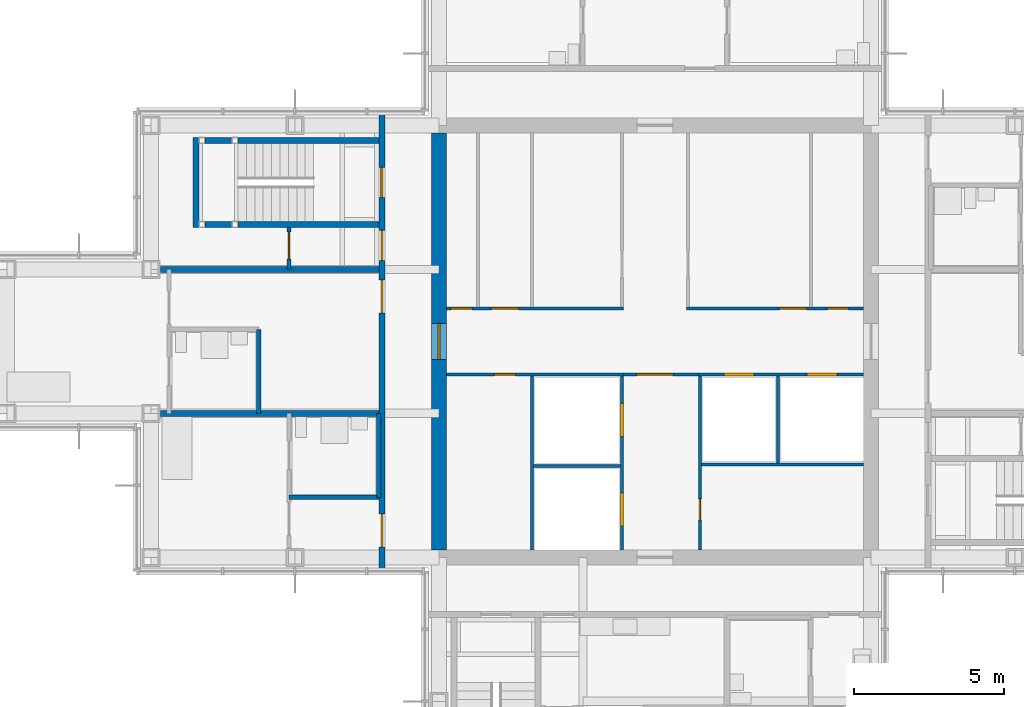
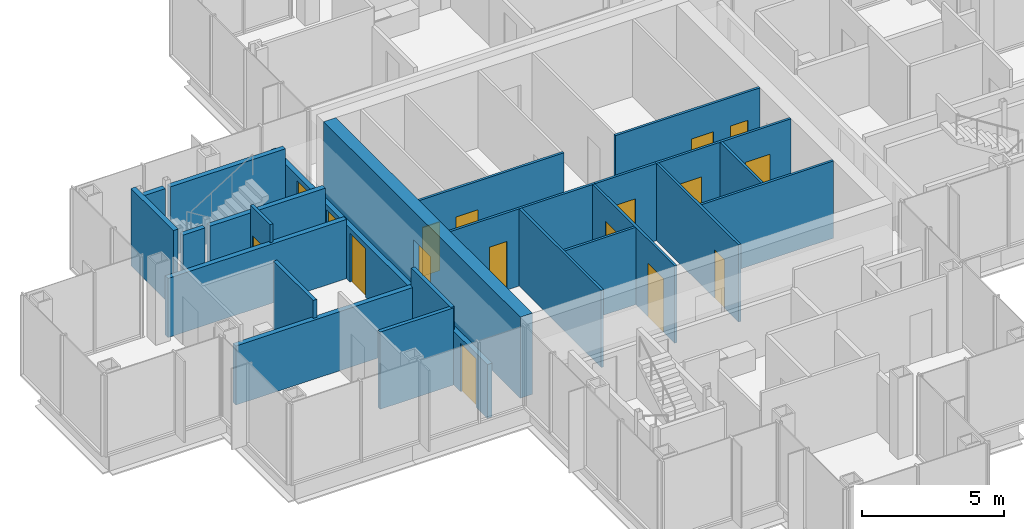
# One storey, part 12 of 17: 24 walls, 17 doors, 17 openings.
"""IFC4 building model written with IfcOpenShell, lengths in metres."""

from ifc_helpers import new_model, si_unit, direction, frame, frame_2d, origin, place, context, subcontext, project, spatial, rectangle, extrude, material, layer, layer_set, type_object, element, fill, save


model = new_model("IFC4")

# Units and contexts
model_context = context("Model", 3, precision=1e-05, world=origin(), true_north=direction((0.0, 1.0)))
body_context = subcontext(model_context, "Body", "Model", "MODEL_VIEW")
ifc_project = project(units=[si_unit("LENGTHUNIT", "METRE"), si_unit("AREAUNIT", "SQUARE_METRE"), si_unit("VOLUMEUNIT", "CUBIC_METRE"), si_unit("PLANEANGLEUNIT", "RADIAN"), si_unit("MASSUNIT", "GRAM", prefix="KILO")], contexts=[model_context])

# Site, building, storey
site_placement = place(None, origin())
site = spatial("IfcSite", under=ifc_project, at=site_placement, CompositionType="ELEMENT")
building_placement = place(site_placement, origin())
building = spatial("IfcBuilding", under=site, at=building_placement, Name="Kvirike Care Tower", CompositionType="ELEMENT")
storey_placement = place(building_placement, frame((0.0, 0.0, 162.0)))
storey = spatial("IfcBuildingStorey", under=building, at=storey_placement, Name="L44", CompositionType="ELEMENT", Elevation=162.0)

# Walls
ifc_material_1 = material(Name="Moisture-resistant board partition", Category="gypsum")
ifc_layer_1 = layer(ifc_material_1, 0.14990234375)
ifc_layer_set_1 = layer_set([ifc_layer_1], Name="BATHROOM WALL 150")
wall_type_1 = type_object("IfcWallType", Name="BATHROOM WALL 150", PredefinedType="PARTITIONING", material=ifc_layer_set_1)
wall_1_placement = place(storey_placement, frame((8.39990234375, 36.39990234375, 0.0), z_axis=(0.0, 0.0, 1.0), x_axis=(0.0, -1.0, 0.0)))
element("IfcWall", 1, at=wall_1_placement, inside=storey, type_object=wall_type_1, Name="Bathroom Wall 150 L44", PredefinedType="PARTITIONING", context=body_context, shape_type="SweptSolid", body=[
    extrude(rectangle(XDim=2.7998046875, YDim=0.14990234375, at=frame_2d((1.39990234375, 0.0))), origin(), (0.0, 0.0, 1.0), 3.330078125),
])
wall_2_placement = place(storey_placement, frame((9.39990234375, 30.800048828125, 0.0), z_axis=(0.0, 0.0, 1.0), x_axis=(1.0, 0.0, 0.0)))
element("IfcWall", 2, at=wall_2_placement, inside=storey, type_object=wall_type_1, Name="Bathroom Wall 150 L44", PredefinedType="PARTITIONING", context=body_context, shape_type="SweptSolid", body=[
    extrude(rectangle(XDim=3.0, YDim=0.14990234375, at=frame_2d((1.5, 0.0))), origin(), (0.0, 0.0, 1.0), 3.330078125),
])
wall_3_placement = place(storey_placement, frame((12.39990234375, 33.60009765625, 0.0), z_axis=(0.0, 0.0, 1.0), x_axis=(0.0, -1.0, 0.0)))
element("IfcWall", 3, at=wall_3_placement, inside=storey, type_object=wall_type_1, Name="Bathroom Wall 150 L44", PredefinedType="PARTITIONING", context=body_context, shape_type="SweptSolid", body=[
    extrude(rectangle(XDim=2.800048828125, YDim=0.14990234375, at=frame_2d((1.39990234375, 0.0))), origin(), (0.0, 0.0, 1.0), 3.330078125),
])

# Wall, opening, door
ifc_material_2 = material(Name="Concrete C45/55", Category="concrete")
ifc_layer_2 = layer(ifc_material_2, 0.5)
ifc_layer_set_2 = layer_set([ifc_layer_2], Name="CORE WALL 500 C45-55")
wall_type_2 = type_object("IfcWallType", Name="CORE WALL 500 C45-55", PredefinedType="SHEAR", material=ifc_layer_set_2)
wall_4_placement = place(storey_placement, frame((14.39990234375, 42.949951171875, -0.169921875), z_axis=(0.0, 0.0, 1.0), x_axis=(0.0, -1.0, 0.0)))
wall_4 = element("IfcWall", 4, at=wall_4_placement, inside=storey, type_object=wall_type_2, Name="Core wall W L44", PredefinedType="SHEAR", context=body_context, shape_type="SweptSolid", body=[
    extrude(rectangle(XDim=13.89990234375, YDim=0.5, at=frame_2d((6.949951171875, 0.0))), origin(), (0.0, 0.0, 1.0), 3.5),
])
opening_1_placement = place(wall_4_placement, frame((6.35009765625, 0.0, 0.169921875)))
opening_1 = element("IfcOpeningElement", 5, at=opening_1_placement, cuts=wall_4, Name="Opening 44-044", PredefinedType="OPENING", context=body_context, shape_type="SweptSolid", body=[
    extrude(rectangle(XDim=1.199951171875, YDim=2.10009765625, at=frame_2d((0.60009765625, 1.050048828125))), frame((0.0, 0.260498046875, 0.0), z_axis=(0.0, -1.0, 0.0), x_axis=(1.0, 0.0, 0.0)), (0.0, 0.0, 1.0), 0.52099609375),
])
ifc_material_3 = material(Name="Timber door set", Category="wood")
door_type_1 = type_object("IfcDoorType", Name="CORE DOOR 1200", OperationType="SINGLE_SWING_LEFT", PredefinedType="DOOR", material=ifc_material_3)
door_1_placement = place(opening_1_placement, origin())
door_1 = element("IfcDoor", 6, at=door_1_placement, inside=storey, type_object=door_type_1, Name="Core door W L44", OperationType="SINGLE_SWING_LEFT", OverallHeight=2.10009765625, OverallWidth=1.199951171875, PredefinedType="DOOR", context=body_context, shape_type="SweptSolid", body=[
    extrude(rectangle(XDim=1.199951171875, YDim=2.10009765625, at=frame_2d((0.60009765625, 1.050048828125))), frame((0.0, 0.02685546875, 0.0), z_axis=(0.0, -1.0, 0.0), x_axis=(1.0, 0.0, 0.0)), (0.0, 0.0, 1.0), 0.053955078125),
])
fill(opening_1, door_1)

# Wall, openings, doors
ifc_material_4 = material(Name="Plasterboard corridor wall", Category="gypsum")
ifc_layer_3 = layer(ifc_material_4, 0.199951171875)
ifc_layer_set_3 = layer_set([ifc_layer_3], Name="CORRIDOR WALL 200")
wall_type_3 = type_object("IfcWallType", Name="CORRIDOR WALL 200", PredefinedType="PARTITIONING", material=ifc_layer_set_3)
wall_5_placement = place(storey_placement, frame((12.5, 43.64990234375, 0.0), z_axis=(0.0, 0.0, 1.0), x_axis=(0.0, -1.0, 0.0)))
wall_5 = element("IfcWall", 7, at=wall_5_placement, inside=storey, type_object=wall_type_3, Name="Corridor Wall 200 L44", PredefinedType="PARTITIONING", context=body_context, shape_type="SweptSolid", body=[
    extrude(rectangle(XDim=15.2998046875, YDim=0.199951171875, at=frame_2d((7.64990234375, 0.0))), origin(), (0.0, 0.0, 1.0), 2.320068359375),
])
opening_2_placement = place(wall_5_placement, frame((1.85009765625, 0.0, 0.0)))
opening_2 = element("IfcOpeningElement", 8, at=opening_2_placement, cuts=wall_5, Name="Opening 44-006", PredefinedType="OPENING", context=body_context, shape_type="SweptSolid", body=[
    extrude(rectangle(XDim=1.0, YDim=2.10009765625, at=frame_2d((0.5, 1.050048828125))), frame((0.0, 0.110595703125, 0.0), z_axis=(0.0, -1.0, 0.0), x_axis=(1.0, 0.0, 0.0)), (0.0, 0.0, 1.0), 0.220947265625),
])
opening_3_placement = place(wall_5_placement, frame((3.949951171875, 0.0, 0.0)))
opening_3 = element("IfcOpeningElement", 9, at=opening_3_placement, cuts=wall_5, Name="Opening 44-007", PredefinedType="OPENING", context=body_context, shape_type="SweptSolid", body=[
    extrude(rectangle(XDim=1.0, YDim=2.10009765625, at=frame_2d((0.5, 1.050048828125))), frame((0.0, 0.110595703125, 0.0), z_axis=(0.0, -1.0, 0.0), x_axis=(1.0, 0.0, 0.0)), (0.0, 0.0, 1.0), 0.220947265625),
])
opening_4_placement = place(wall_5_placement, frame((5.60009765625, 0.0, 0.0)))
opening_4 = element("IfcOpeningElement", 10, at=opening_4_placement, cuts=wall_5, Name="Opening 44-008", PredefinedType="OPENING", context=body_context, shape_type="SweptSolid", body=[
    extrude(rectangle(XDim=1.10009765625, YDim=2.10009765625, at=frame_2d((0.550048828125, 1.050048828125))), frame((0.0, 0.110595703125, 0.0), z_axis=(0.0, -1.0, 0.0), x_axis=(1.0, 0.0, 0.0)), (0.0, 0.0, 1.0), 0.220947265625),
])
opening_5_placement = place(wall_5_placement, frame((13.39990234375, 0.0, 0.0)))
opening_5 = element("IfcOpeningElement", 11, at=opening_5_placement, cuts=wall_5, Name="Opening 44-009", PredefinedType="OPENING", context=body_context, shape_type="SweptSolid", body=[
    extrude(rectangle(XDim=1.10009765625, YDim=2.10009765625, at=frame_2d((0.550048828125, 1.050048828125))), frame((0.0, 0.110595703125, 0.0), z_axis=(0.0, -1.0, 0.0), x_axis=(1.0, 0.0, 0.0)), (0.0, 0.0, 1.0), 0.220947265625),
])
ifc_material_5 = material(Name="Timber door set", Category="wood")
door_type_2 = type_object("IfcDoorType", Name="BEDROOM ENTRANCE DOOR 1100", OperationType="SINGLE_SWING_LEFT", PredefinedType="DOOR", material=ifc_material_5)
door_2_placement = place(opening_4_placement, frame((1.10009765625, 0.0, 0.0), z_axis=(0.0, 0.0, 1.0), x_axis=(-1.0, 0.0, 0.0)))
door_2 = element("IfcDoor", 12, at=door_2_placement, inside=storey, type_object=door_type_2, Name="Memory care bedroom entrance", OperationType="SINGLE_SWING_LEFT", OverallHeight=2.10009765625, OverallWidth=1.10009765625, PredefinedType="DOOR", context=body_context, shape_type="SweptSolid", body=[
    extrude(rectangle(XDim=1.10009765625, YDim=2.10009765625, at=frame_2d((0.550048828125, 1.050048828125))), frame((0.0, 0.02685546875, 0.0), z_axis=(0.0, -1.0, 0.0), x_axis=(1.0, 0.0, 0.0)), (0.0, 0.0, 1.0), 0.053955078125),
])
fill(opening_4, door_2)
door_3_placement = place(opening_5_placement, frame((1.10009765625, 0.0, 0.0), z_axis=(0.0, 0.0, 1.0), x_axis=(-1.0, 0.0, 0.0)))
door_3 = element("IfcDoor", 13, at=door_3_placement, inside=storey, type_object=door_type_2, Name="Memory care bedroom entrance", OperationType="SINGLE_SWING_RIGHT", OverallHeight=2.10009765625, OverallWidth=1.10009765625, PredefinedType="DOOR", context=body_context, shape_type="SweptSolid", body=[
    extrude(rectangle(XDim=1.10009765625, YDim=2.10009765625, at=frame_2d((0.550048828125, 1.050048828125))), frame((0.0, 0.02685546875, 0.0), z_axis=(0.0, -1.0, 0.0), x_axis=(1.0, 0.0, 0.0)), (0.0, 0.0, 1.0), 0.053955078125),
])
fill(opening_5, door_3)
ifc_material_6 = material(Name="Timber door set", Category="wood")
door_type_3 = type_object("IfcDoorType", Name="FLAT ENTRANCE DOOR 1000", OperationType="SINGLE_SWING_LEFT", PredefinedType="DOOR", material=ifc_material_6)
door_4_placement = place(opening_3_placement, frame((1.0, 0.0, 0.0), z_axis=(0.0, 0.0, 1.0), x_axis=(-1.0, 0.0, 0.0)))
door_4 = element("IfcDoor", 14, at=door_4_placement, inside=storey, type_object=door_type_3, Name="Activity room entrance", OperationType="SINGLE_SWING_LEFT", OverallHeight=2.10009765625, OverallWidth=1.0, PredefinedType="DOOR", context=body_context, shape_type="SweptSolid", body=[
    extrude(rectangle(XDim=1.0, YDim=2.10009765625, at=frame_2d((0.5, 1.050048828125))), frame((0.0, 0.02685546875, 0.0), z_axis=(0.0, -1.0, 0.0), x_axis=(1.0, 0.0, 0.0)), (0.0, 0.0, 1.0), 0.053955078125),
])
fill(opening_3, door_4)
ifc_material_7 = material(Name="Timber door set", Category="wood")
door_type_4 = type_object("IfcDoorType", Name="STAIR DOOR 1000", OperationType="SINGLE_SWING_LEFT", PredefinedType="DOOR", material=ifc_material_7)
door_5_placement = place(opening_2_placement, frame((1.0, 0.0, 0.0), z_axis=(0.0, 0.0, 1.0), x_axis=(-1.0, 0.0, 0.0)))
door_5 = element("IfcDoor", 15, at=door_5_placement, inside=storey, type_object=door_type_4, Name="Stair 1 door", OperationType="SINGLE_SWING_RIGHT", OverallHeight=2.10009765625, OverallWidth=1.0, PredefinedType="DOOR", context=body_context, shape_type="SweptSolid", body=[
    extrude(rectangle(XDim=1.0, YDim=2.10009765625, at=frame_2d((0.5, 1.050048828125))), frame((0.0, 0.031982421875, 0.0), z_axis=(0.0, -1.0, 0.0), x_axis=(1.0, 0.0, 0.0)), (0.0, 0.0, 1.0), 0.06396484375),
])
fill(opening_2, door_5)

# Wall, opening, door
ifc_material_8 = material(Name="Plasterboard partition", Category="gypsum")
ifc_layer_4 = layer(ifc_material_8, 0.1201171875)
ifc_layer_set_4 = layer_set([ifc_layer_4], Name="PARTITION 120")
wall_type_4 = type_object("IfcWallType", Name="PARTITION 120", PredefinedType="PARTITIONING", material=ifc_layer_set_4)
wall_6_placement = place(storey_placement, frame((9.39990234375, 39.800048828125, 0.0), z_axis=(0.0, 0.0, 1.0), x_axis=(0.0, -1.0, 0.0)))
wall_6 = element("IfcWall", 16, at=wall_6_placement, inside=storey, type_object=wall_type_4, Name="Partition 120 L44", PredefinedType="PARTITIONING", context=body_context, shape_type="SweptSolid", body=[
    extrude(rectangle(XDim=1.400146484375, YDim=0.1201171875, at=frame_2d((0.7001953125, 0.0))), origin(), (0.0, 0.0, 1.0), 3.330078125),
])
opening_6_placement = place(wall_6_placement, frame((0.14990234375, 0.0, 0.0)))
opening_6 = element("IfcOpeningElement", 17, at=opening_6_placement, cuts=wall_6, Name="Opening 44-001", PredefinedType="OPENING", context=body_context, shape_type="SweptSolid", body=[
    extrude(rectangle(XDim=0.89990234375, YDim=2.10009765625, at=frame_2d((0.449951171875, 1.050048828125))), frame((0.0, 0.070556640625, 0.0), z_axis=(0.0, -1.0, 0.0), x_axis=(1.0, 0.0, 0.0)), (0.0, 0.0, 1.0), 0.14111328125),
])
ifc_material_9 = material(Name="Timber door set", Category="wood")
door_type_5 = type_object("IfcDoorType", Name="INTERNAL DOOR 900", OperationType="SINGLE_SWING_LEFT", PredefinedType="DOOR", material=ifc_material_9)
door_6_placement = place(opening_6_placement, origin())
door_6 = element("IfcDoor", 18, at=door_6_placement, inside=storey, type_object=door_type_5, Name="Activity room door", OperationType="SINGLE_SWING_RIGHT", OverallHeight=2.10009765625, OverallWidth=0.89990234375, PredefinedType="DOOR", context=body_context, shape_type="SweptSolid", body=[
    extrude(rectangle(XDim=0.89990234375, YDim=2.10009765625, at=frame_2d((0.449951171875, 1.050048828125))), frame((0.0, 0.02197265625, 0.0), z_axis=(0.0, -1.0, 0.0), x_axis=(1.0, 0.0, 0.0)), (0.0, 0.0, 1.0), 0.0439453125),
])
fill(opening_6, door_6)

# Walls
ifc_material_10 = material(Name="Plasterboard party wall", Category="gypsum")
ifc_layer_5 = layer(ifc_material_10, 0.199951171875)
ifc_layer_set_5 = layer_set([ifc_layer_5], Name="PARTY WALL 200")
wall_type_5 = type_object("IfcWallType", Name="PARTY WALL 200", PredefinedType="PARTITIONING", material=ifc_layer_set_5)
for number, where, z_axis, x_axis, name in (
    (19, (5.1201171875, 38.39990234375, 0.0), (0.0, 0.0, 1.0), (1.0, 0.0, 0.0), "Party Wall 200 L44"),
    (20, (5.1201171875, 33.60009765625, 0.0), (0.0, 0.0, 1.0), (1.0, 0.0, 0.0), "Party Wall 200 L44"),
):
    element("IfcWall", number, at=place(storey_placement, frame(where, z_axis=z_axis, x_axis=x_axis)), inside=storey, type_object=wall_type_5, Name=name, PredefinedType="PARTITIONING", context=body_context, shape_type="SweptSolid", body=[
        extrude(rectangle(XDim=7.27978515625, YDim=0.199951171875, at=frame_2d((3.639892578125, 0.0))), origin(), (0.0, 0.0, 1.0), 2.550048828125),
    ])

# Wall, openings, doors
ifc_material_11 = material(Name="Gypsum shaft wall system", Category="gypsum")
ifc_layer_6 = layer(ifc_material_11, 0.10009765625)
ifc_layer_set_6 = layer_set([ifc_layer_6], Name="SHAFT WALL 100")
wall_type_6 = type_object("IfcWallType", Name="SHAFT WALL 100", PredefinedType="SOLIDWALL", material=ifc_layer_set_6)
wall_7_placement = place(storey_placement, frame((20.5, 29.050048828125, 0.0), z_axis=(0.0, 0.0, 1.0), x_axis=(0.0, 1.0, 0.0)))
wall_7 = element("IfcWall", 21, at=wall_7_placement, inside=storey, type_object=wall_type_6, Name="Shaft Wall 100 L44", PredefinedType="SOLIDWALL", context=body_context, shape_type="SweptSolid", body=[
    extrude(rectangle(XDim=5.800048828125, YDim=0.10009765625, at=frame_2d((2.89990234375, 0.0))), origin(), (0.0, 0.0, 1.0), 3.330078125),
])
opening_7_placement = place(wall_7_placement, frame((0.800048828125, 0.0, 0.0)))
opening_7 = element("IfcOpeningElement", 22, at=opening_7_placement, cuts=wall_7, Name="Opening 44-030", PredefinedType="OPENING", context=body_context, shape_type="SweptSolid", body=[
    extrude(rectangle(XDim=1.10009765625, YDim=2.300048828125, at=frame_2d((0.550048828125, 1.14990234375))), frame((0.0, 0.060546875, 0.0), z_axis=(0.0, -1.0, 0.0), x_axis=(1.0, 0.0, 0.0)), (0.0, 0.0, 1.0), 0.12109375),
])
opening_8_placement = place(wall_7_placement, frame((3.77490234375, 0.0, 0.0)))
opening_8 = element("IfcOpeningElement", 23, at=opening_8_placement, cuts=wall_7, Name="Opening 44-031", PredefinedType="OPENING", context=body_context, shape_type="SweptSolid", body=[
    extrude(rectangle(XDim=1.10009765625, YDim=2.300048828125, at=frame_2d((0.550048828125, 1.14990234375))), frame((0.0, 0.060546875, 0.0), z_axis=(0.0, -1.0, 0.0), x_axis=(1.0, 0.0, 0.0)), (0.0, 0.0, 1.0), 0.12109375),
])
ifc_material_12 = material(Name="Aluminium door frame", Category="aluminium")
door_type_6 = type_object("IfcDoorType", Name="FIRE-FIGHTING LIFT LANDING DOOR 1100", OperationType="SLIDING_TO_LEFT", PredefinedType="DOOR", material=ifc_material_12)
door_7_placement = place(opening_7_placement, origin())
door_7 = element("IfcDoor", 24, at=door_7_placement, inside=storey, type_object=door_type_6, Name="Lift FF1 landing door", OperationType="SLIDING_TO_LEFT", OverallHeight=2.300048828125, OverallWidth=1.10009765625, PredefinedType="DOOR", context=body_context, shape_type="SweptSolid", body=[
    extrude(rectangle(XDim=1.10009765625, YDim=2.300048828125, at=frame_2d((0.550048828125, 1.14990234375))), frame((0.0, 0.0498046875, 0.0), z_axis=(0.0, -1.0, 0.0), x_axis=(1.0, 0.0, 0.0)), (0.0, 0.0, 1.0), 0.099609375),
])
fill(opening_7, door_7)
door_8_placement = place(opening_8_placement, origin())
door_8 = element("IfcDoor", 25, at=door_8_placement, inside=storey, type_object=door_type_6, Name="Lift FF2 landing door", OperationType="SLIDING_TO_LEFT", OverallHeight=2.300048828125, OverallWidth=1.10009765625, PredefinedType="DOOR", context=body_context, shape_type="SweptSolid", body=[
    extrude(rectangle(XDim=1.10009765625, YDim=2.300048828125, at=frame_2d((0.550048828125, 1.14990234375))), frame((0.0, 0.0498046875, 0.0), z_axis=(0.0, -1.0, 0.0), x_axis=(1.0, 0.0, 0.0)), (0.0, 0.0, 1.0), 0.099609375),
])
fill(opening_8, door_8)

# Wall, opening, door
wall_8_placement = place(storey_placement, frame((23.10009765625, 29.050048828125, 0.0), z_axis=(0.0, 0.0, 1.0), x_axis=(0.0, 1.0, 0.0)))
wall_8 = element("IfcWall", 26, at=wall_8_placement, inside=storey, type_object=wall_type_6, Name="Shaft Wall 100 L44", PredefinedType="SOLIDWALL", context=body_context, shape_type="SweptSolid", body=[
    extrude(rectangle(XDim=5.800048828125, YDim=0.10009765625, at=frame_2d((2.89990234375, 0.0))), origin(), (0.0, 0.0, 1.0), 3.330078125),
])
opening_9_placement = place(wall_8_placement, frame((1.0, 0.0, 0.0)))
opening_9 = element("IfcOpeningElement", 27, at=opening_9_placement, cuts=wall_8, Name="Opening 44-034", PredefinedType="OPENING", context=body_context, shape_type="SweptSolid", body=[
    extrude(rectangle(XDim=0.699951171875, YDim=2.10009765625, at=frame_2d((0.35009765625, 1.050048828125))), frame((0.0, 0.060546875, 0.0), z_axis=(0.0, -1.0, 0.0), x_axis=(1.0, 0.0, 0.0)), (0.0, 0.0, 1.0), 0.12109375),
])
ifc_material_13 = material(Name="Timber door set", Category="wood")
door_type_7 = type_object("IfcDoorType", Name="RISER DOOR 700", OperationType="SINGLE_SWING_LEFT", PredefinedType="DOOR", material=ifc_material_13)
door_9_placement = place(opening_9_placement, origin())
door_9 = element("IfcDoor", 28, at=door_9_placement, inside=storey, type_object=door_type_7, Name="Riser door", OperationType="SINGLE_SWING_RIGHT", OverallHeight=2.10009765625, OverallWidth=0.699951171875, PredefinedType="DOOR", context=body_context, shape_type="SweptSolid", body=[
    extrude(rectangle(XDim=0.699951171875, YDim=2.10009765625, at=frame_2d((0.35009765625, 1.050048828125))), frame((0.0, 0.02685546875, 0.0), z_axis=(0.0, -1.0, 0.0), x_axis=(1.0, 0.0, 0.0)), (0.0, 0.0, 1.0), 0.053955078125),
])
fill(opening_9, door_9)

wall_9_placement = place(storey_placement, frame((14.64990234375, 34.89990234375, 0.0), z_axis=(0.0, 0.0, 1.0), x_axis=(1.0, 0.0, 0.0)))
wall_9 = element("IfcWall", 29, at=wall_9_placement, inside=storey, type_object=wall_type_6, Name="Shaft Wall 100 L44", PredefinedType="SOLIDWALL", context=body_context, shape_type="SweptSolid", body=[
    extrude(rectangle(XDim=5.900146484375, YDim=0.10009765625, at=frame_2d((2.9501953125, 0.0))), origin(), (0.0, 0.0, 1.0), 3.330078125),
])
opening_10_placement = place(wall_9_placement, frame((1.60009765625, 0.0, 0.0)))
opening_10 = element("IfcOpeningElement", 30, at=opening_10_placement, cuts=wall_9, Name="Opening 44-035", PredefinedType="OPENING", context=body_context, shape_type="SweptSolid", body=[
    extrude(rectangle(XDim=0.699951171875, YDim=2.10009765625, at=frame_2d((0.35009765625, 1.050048828125))), frame((0.0, 0.060546875, 0.0), z_axis=(0.0, -1.0, 0.0), x_axis=(1.0, 0.0, 0.0)), (0.0, 0.0, 1.0), 0.12109375),
])
door_10_placement = place(opening_10_placement, frame((0.699951171875, 0.0, 0.0), z_axis=(0.0, 0.0, 1.0), x_axis=(-1.0, 0.0, 0.0)))
door_10 = element("IfcDoor", 31, at=door_10_placement, inside=storey, type_object=door_type_7, Name="Riser door", OperationType="SINGLE_SWING_RIGHT", OverallHeight=2.10009765625, OverallWidth=0.699951171875, PredefinedType="DOOR", context=body_context, shape_type="SweptSolid", body=[
    extrude(rectangle(XDim=0.699951171875, YDim=2.10009765625, at=frame_2d((0.35009765625, 1.050048828125))), frame((0.0, 0.02685546875, 0.0), z_axis=(0.0, -1.0, 0.0), x_axis=(1.0, 0.0, 0.0)), (0.0, 0.0, 1.0), 0.053955078125),
])
fill(opening_10, door_10)

# Wall, openings, doors
wall_10_placement = place(storey_placement, frame((23.050048828125, 34.89990234375, 0.0), z_axis=(0.0, 0.0, 1.0), x_axis=(1.0, 0.0, 0.0)))
wall_10 = element("IfcWall", 32, at=wall_10_placement, inside=storey, type_object=wall_type_6, Name="Shaft Wall 100 L44", PredefinedType="SOLIDWALL", context=body_context, shape_type="SweptSolid", body=[
    extrude(rectangle(XDim=5.5, YDim=0.10009765625, at=frame_2d((2.75, 0.0))), origin(), (0.0, 0.0, 1.0), 3.330078125),
])
opening_11_placement = place(wall_10_placement, frame((0.85009765625, 0.0, 0.0)))
opening_11 = element("IfcOpeningElement", 33, at=opening_11_placement, cuts=wall_10, Name="Opening 44-036", PredefinedType="OPENING", context=body_context, shape_type="SweptSolid", body=[
    extrude(rectangle(XDim=1.0, YDim=2.10009765625, at=frame_2d((0.5, 1.050048828125))), frame((0.0, 0.060546875, 0.0), z_axis=(0.0, -1.0, 0.0), x_axis=(1.0, 0.0, 0.0)), (0.0, 0.0, 1.0), 0.12109375),
])
opening_12_placement = place(wall_10_placement, frame((3.625, 0.0, 0.0)))
opening_12 = element("IfcOpeningElement", 34, at=opening_12_placement, cuts=wall_10, Name="Opening 44-037", PredefinedType="OPENING", context=body_context, shape_type="SweptSolid", body=[
    extrude(rectangle(XDim=1.0, YDim=2.10009765625, at=frame_2d((0.5, 1.050048828125))), frame((0.0, 0.060546875, 0.0), z_axis=(0.0, -1.0, 0.0), x_axis=(1.0, 0.0, 0.0)), (0.0, 0.0, 1.0), 0.12109375),
])
ifc_material_14 = material(Name="Aluminium door frame", Category="aluminium")
door_type_8 = type_object("IfcDoorType", Name="LIFT LANDING DOOR 1000", OperationType="SLIDING_TO_LEFT", PredefinedType="DOOR", material=ifc_material_14)
door_11_placement = place(opening_11_placement, origin())
door_11 = element("IfcDoor", 35, at=door_11_placement, inside=storey, type_object=door_type_8, Name="Lift P5 landing door", OperationType="SLIDING_TO_LEFT", OverallHeight=2.10009765625, OverallWidth=1.0, PredefinedType="DOOR", context=body_context, shape_type="SweptSolid", body=[
    extrude(rectangle(XDim=1.0, YDim=2.10009765625, at=frame_2d((0.5, 1.050048828125))), frame((0.0, 0.0498046875, 0.0), z_axis=(0.0, -1.0, 0.0), x_axis=(1.0, 0.0, 0.0)), (0.0, 0.0, 1.0), 0.099609375),
])
fill(opening_11, door_11)
door_12_placement = place(opening_12_placement, origin())
door_12 = element("IfcDoor", 36, at=door_12_placement, inside=storey, type_object=door_type_8, Name="Lift P6 landing door", OperationType="SLIDING_TO_LEFT", OverallHeight=2.10009765625, OverallWidth=1.0, PredefinedType="DOOR", context=body_context, shape_type="SweptSolid", body=[
    extrude(rectangle(XDim=1.0, YDim=2.10009765625, at=frame_2d((0.5, 1.050048828125))), frame((0.0, 0.0498046875, 0.0), z_axis=(0.0, -1.0, 0.0), x_axis=(1.0, 0.0, 0.0)), (0.0, 0.0, 1.0), 0.099609375),
])
fill(opening_12, door_12)

wall_11_placement = place(storey_placement, frame((14.64990234375, 37.10009765625, 0.0), z_axis=(0.0, 0.0, 1.0), x_axis=(1.0, 0.0, 0.0)))
wall_11 = element("IfcWall", 37, at=wall_11_placement, inside=storey, type_object=wall_type_6, Name="Shaft Wall 100 L44", PredefinedType="SOLIDWALL", context=body_context, shape_type="SweptSolid", body=[
    extrude(rectangle(XDim=5.900146484375, YDim=0.10009765625, at=frame_2d((2.9501953125, 0.0))), origin(), (0.0, 0.0, 1.0), 3.330078125),
])
opening_13_placement = place(wall_11_placement, frame((0.14990234375, 0.0, 0.0)))
opening_13 = element("IfcOpeningElement", 38, at=opening_13_placement, cuts=wall_11, Name="Opening 44-038", PredefinedType="OPENING", context=body_context, shape_type="SweptSolid", body=[
    extrude(rectangle(XDim=0.699951171875, YDim=2.10009765625, at=frame_2d((0.35009765625, 1.050048828125))), frame((0.0, 0.060546875, 0.0), z_axis=(0.0, -1.0, 0.0), x_axis=(1.0, 0.0, 0.0)), (0.0, 0.0, 1.0), 0.12109375),
])
opening_14_placement = place(wall_11_placement, frame((1.5, 0.0, 0.0)))
opening_14 = element("IfcOpeningElement", 39, at=opening_14_placement, cuts=wall_11, Name="Opening 44-039", PredefinedType="OPENING", context=body_context, shape_type="SweptSolid", body=[
    extrude(rectangle(XDim=0.89990234375, YDim=2.10009765625, at=frame_2d((0.449951171875, 1.050048828125))), frame((0.0, 0.060546875, 0.0), z_axis=(0.0, -1.0, 0.0), x_axis=(1.0, 0.0, 0.0)), (0.0, 0.0, 1.0), 0.12109375),
])
door_13_placement = place(opening_13_placement, origin())
door_13 = element("IfcDoor", 40, at=door_13_placement, inside=storey, type_object=door_type_7, Name="Riser door", OperationType="SINGLE_SWING_LEFT", OverallHeight=2.10009765625, OverallWidth=0.699951171875, PredefinedType="DOOR", context=body_context, shape_type="SweptSolid", body=[
    extrude(rectangle(XDim=0.699951171875, YDim=2.10009765625, at=frame_2d((0.35009765625, 1.050048828125))), frame((0.0, 0.02685546875, 0.0), z_axis=(0.0, -1.0, 0.0), x_axis=(1.0, 0.0, 0.0)), (0.0, 0.0, 1.0), 0.053955078125),
])
fill(opening_13, door_13)
ifc_material_15 = material(Name="Timber door set", Category="wood")
door_type_9 = type_object("IfcDoorType", Name="STORE DOOR 900", OperationType="SINGLE_SWING_LEFT", PredefinedType="DOOR", material=ifc_material_15)
door_14_placement = place(opening_14_placement, origin())
door_14 = element("IfcDoor", 41, at=door_14_placement, inside=storey, type_object=door_type_9, Name="Linen store door", OperationType="SINGLE_SWING_LEFT", OverallHeight=2.10009765625, OverallWidth=0.89990234375, PredefinedType="DOOR", context=body_context, shape_type="SweptSolid", body=[
    extrude(rectangle(XDim=0.89990234375, YDim=2.10009765625, at=frame_2d((0.449951171875, 1.050048828125))), frame((0.0, 0.02685546875, 0.0), z_axis=(0.0, -1.0, 0.0), x_axis=(1.0, 0.0, 0.0)), (0.0, 0.0, 1.0), 0.053955078125),
])
fill(opening_14, door_14)

wall_12_placement = place(storey_placement, frame((22.64990234375, 37.10009765625, 0.0), z_axis=(0.0, 0.0, 1.0), x_axis=(1.0, 0.0, 0.0)))
wall_12 = element("IfcWall", 42, at=wall_12_placement, inside=storey, type_object=wall_type_6, Name="Shaft Wall 100 L44", PredefinedType="SOLIDWALL", context=body_context, shape_type="SweptSolid", body=[
    extrude(rectangle(XDim=5.900146484375, YDim=0.10009765625, at=frame_2d((2.9501953125, 0.0))), origin(), (0.0, 0.0, 1.0), 3.330078125),
])
opening_15_placement = place(wall_12_placement, frame((3.10009765625, 0.0, 0.0)))
opening_15 = element("IfcOpeningElement", 43, at=opening_15_placement, cuts=wall_12, Name="Opening 44-040", PredefinedType="OPENING", context=body_context, shape_type="SweptSolid", body=[
    extrude(rectangle(XDim=0.89990234375, YDim=2.10009765625, at=frame_2d((0.449951171875, 1.050048828125))), frame((0.0, 0.060546875, 0.0), z_axis=(0.0, -1.0, 0.0), x_axis=(1.0, 0.0, 0.0)), (0.0, 0.0, 1.0), 0.12109375),
])
opening_16_placement = place(wall_12_placement, frame((4.699951171875, 0.0, 0.0)))
opening_16 = element("IfcOpeningElement", 44, at=opening_16_placement, cuts=wall_12, Name="Opening 44-041", PredefinedType="OPENING", context=body_context, shape_type="SweptSolid", body=[
    extrude(rectangle(XDim=0.699951171875, YDim=2.10009765625, at=frame_2d((0.35009765625, 1.050048828125))), frame((0.0, 0.060546875, 0.0), z_axis=(0.0, -1.0, 0.0), x_axis=(1.0, 0.0, 0.0)), (0.0, 0.0, 1.0), 0.12109375),
])
door_15_placement = place(opening_16_placement, origin())
door_15 = element("IfcDoor", 45, at=door_15_placement, inside=storey, type_object=door_type_7, Name="Riser door", OperationType="SINGLE_SWING_LEFT", OverallHeight=2.10009765625, OverallWidth=0.699951171875, PredefinedType="DOOR", context=body_context, shape_type="SweptSolid", body=[
    extrude(rectangle(XDim=0.699951171875, YDim=2.10009765625, at=frame_2d((0.35009765625, 1.050048828125))), frame((0.0, 0.02685546875, 0.0), z_axis=(0.0, -1.0, 0.0), x_axis=(1.0, 0.0, 0.0)), (0.0, 0.0, 1.0), 0.053955078125),
])
fill(opening_16, door_15)
door_16_placement = place(opening_15_placement, origin())
door_16 = element("IfcDoor", 46, at=door_16_placement, inside=storey, type_object=door_type_9, Name="Records and archive store door", OperationType="SINGLE_SWING_LEFT", OverallHeight=2.10009765625, OverallWidth=0.89990234375, PredefinedType="DOOR", context=body_context, shape_type="SweptSolid", body=[
    extrude(rectangle(XDim=0.89990234375, YDim=2.10009765625, at=frame_2d((0.449951171875, 1.050048828125))), frame((0.0, 0.02685546875, 0.0), z_axis=(0.0, -1.0, 0.0), x_axis=(1.0, 0.0, 0.0)), (0.0, 0.0, 1.0), 0.053955078125),
])
fill(opening_15, door_16)

# Wall, opening, door
wall_13_placement = place(storey_placement, frame((20.550048828125, 34.89990234375, 0.0), z_axis=(0.0, 0.0, 1.0), x_axis=(1.0, 0.0, 0.0)))
wall_13 = element("IfcWall", 47, at=wall_13_placement, inside=storey, type_object=wall_type_6, Name="Shaft Wall 100 L44", PredefinedType="SOLIDWALL", context=body_context, shape_type="SweptSolid", body=[
    extrude(rectangle(XDim=2.5, YDim=0.10009765625, at=frame_2d((1.25, 0.0))), origin(), (0.0, 0.0, 1.0), 3.330078125),
])
opening_17_placement = place(wall_13_placement, frame((0.449951171875, 0.0, 0.0)))
opening_17 = element("IfcOpeningElement", 48, at=opening_17_placement, cuts=wall_13, Name="Opening 44-042", PredefinedType="OPENING", context=body_context, shape_type="SweptSolid", body=[
    extrude(rectangle(XDim=1.199951171875, YDim=2.10009765625, at=frame_2d((0.60009765625, 1.050048828125))), frame((0.0, 0.060546875, 0.0), z_axis=(0.0, -1.0, 0.0), x_axis=(1.0, 0.0, 0.0)), (0.0, 0.0, 1.0), 0.12109375),
])
door_17_placement = place(opening_17_placement, frame((1.199951171875, 0.0, 0.0), z_axis=(0.0, 0.0, 1.0), x_axis=(-1.0, 0.0, 0.0)))
door_17 = element("IfcDoor", 49, at=door_17_placement, inside=storey, type_object=door_type_1, Name="Fire-fighting lobby door", OperationType="SINGLE_SWING_LEFT", OverallHeight=2.10009765625, OverallWidth=1.199951171875, PredefinedType="DOOR", context=body_context, shape_type="SweptSolid", body=[
    extrude(rectangle(XDim=1.199951171875, YDim=2.10009765625, at=frame_2d((0.60009765625, 1.050048828125))), frame((0.0, 0.02685546875, 0.0), z_axis=(0.0, -1.0, 0.0), x_axis=(1.0, 0.0, 0.0)), (0.0, 0.0, 1.0), 0.053955078125),
])
fill(opening_17, door_17)

# Walls
wall_14_placement = place(storey_placement, frame((17.5, 29.050048828125, 0.0), z_axis=(0.0, 0.0, 1.0), x_axis=(0.0, 1.0, 0.0)))
element("IfcWall", 50, at=wall_14_placement, inside=storey, type_object=wall_type_6, Name="Shaft Wall 100 L44", PredefinedType="SOLIDWALL", context=body_context, shape_type="SweptSolid", body=[
    extrude(rectangle(XDim=5.800048828125, YDim=0.10009765625, at=frame_2d((2.89990234375, 0.0))), origin(), (0.0, 0.0, 1.0), 3.330078125),
])
wall_15_placement = place(storey_placement, frame((17.550048828125, 31.85009765625, 0.0), z_axis=(0.0, 0.0, 1.0), x_axis=(1.0, 0.0, 0.0)))
element("IfcWall", 51, at=wall_15_placement, inside=storey, type_object=wall_type_6, Name="Shaft Wall 100 L44", PredefinedType="SOLIDWALL", context=body_context, shape_type="SweptSolid", body=[
    extrude(rectangle(XDim=2.89990234375, YDim=0.10009765625, at=frame_2d((1.449951171875, 0.0))), origin(), (0.0, 0.0, 1.0), 3.330078125),
])
wall_16_placement = place(storey_placement, frame((25.699951171875, 31.949951171875, 0.0), z_axis=(0.0, 0.0, 1.0), x_axis=(0.0, 1.0, 0.0)))
element("IfcWall", 52, at=wall_16_placement, inside=storey, type_object=wall_type_6, Name="Shaft Wall 100 L44", PredefinedType="SOLIDWALL", context=body_context, shape_type="SweptSolid", body=[
    extrude(rectangle(XDim=2.900146484375, YDim=0.10009765625, at=frame_2d((1.4501953125, 0.0))), origin(), (0.0, 0.0, 1.0), 3.330078125),
])
wall_17_placement = place(storey_placement, frame((23.14990234375, 31.89990234375, 0.0), z_axis=(0.0, 0.0, 1.0), x_axis=(1.0, 0.0, 0.0)))
element("IfcWall", 53, at=wall_17_placement, inside=storey, type_object=wall_type_6, Name="Shaft Wall 100 L44", PredefinedType="SOLIDWALL", context=body_context, shape_type="SweptSolid", body=[
    extrude(rectangle(XDim=5.400146484375, YDim=0.10009765625, at=frame_2d((2.7001953125, 0.0))), origin(), (0.0, 0.0, 1.0), 3.330078125),
])
ifc_material_16 = material(Name="Concrete C40/50", Category="concrete")
ifc_layer_7 = layer(ifc_material_16, 0.199951171875)
ifc_layer_set_7 = layer_set([ifc_layer_7], Name="STAIR WALL 200")
wall_type_7 = type_object("IfcWallType", Name="STAIR WALL 200", PredefinedType="SOLIDWALL", material=ifc_layer_set_7)
wall_18_placement = place(storey_placement, frame((6.60009765625, 42.699951171875, 0.0), z_axis=(0.0, 0.0, 1.0), x_axis=(1.0, 0.0, 0.0)))
element("IfcWall", 54, at=wall_18_placement, inside=storey, type_object=wall_type_7, Name="Stair Wall 200 L44", PredefinedType="SOLIDWALL", context=body_context, shape_type="SweptSolid", body=[
    extrude(rectangle(XDim=0.89990234375, YDim=0.199951171875, at=frame_2d((0.449951171875, 0.0))), origin(), (0.0, 0.0, 1.0), 2.989990234375),
])
wall_19_placement = place(storey_placement, frame((7.699951171875, 42.699951171875, 0.0), z_axis=(0.0, 0.0, 1.0), x_axis=(1.0, 0.0, 0.0)))
element("IfcWall", 55, at=wall_19_placement, inside=storey, type_object=wall_type_7, Name="Stair Wall 200 L44", PredefinedType="SOLIDWALL", context=body_context, shape_type="SweptSolid", body=[
    extrude(rectangle(XDim=4.699951171875, YDim=0.199951171875, at=frame_2d((2.35009765625, 0.0))), origin(), (0.0, 0.0, 1.0), 2.989990234375),
])
wall_20_placement = place(storey_placement, frame((6.60009765625, 39.89990234375, 0.0), z_axis=(0.0, 0.0, 1.0), x_axis=(1.0, 0.0, 0.0)))
element("IfcWall", 56, at=wall_20_placement, inside=storey, type_object=wall_type_7, Name="Stair Wall 200 L44", PredefinedType="SOLIDWALL", context=body_context, shape_type="SweptSolid", body=[
    extrude(rectangle(XDim=0.89990234375, YDim=0.199951171875, at=frame_2d((0.449951171875, 0.0))), origin(), (0.0, 0.0, 1.0), 2.989990234375),
])
wall_21_placement = place(storey_placement, frame((7.699951171875, 39.89990234375, 0.0), z_axis=(0.0, 0.0, 1.0), x_axis=(1.0, 0.0, 0.0)))
element("IfcWall", 57, at=wall_21_placement, inside=storey, type_object=wall_type_7, Name="Stair Wall 200 L44", PredefinedType="SOLIDWALL", context=body_context, shape_type="SweptSolid", body=[
    extrude(rectangle(XDim=4.699951171875, YDim=0.199951171875, at=frame_2d((2.35009765625, 0.0))), origin(), (0.0, 0.0, 1.0), 2.989990234375),
])
wall_22_placement = place(storey_placement, frame((6.300048828125, 42.800048828125, 0.0), z_axis=(0.0, 0.0, 1.0), x_axis=(0.0, -1.0, 0.0)))
element("IfcWall", 58, at=wall_22_placement, inside=storey, type_object=wall_type_7, Name="Stair Wall 200 L44", PredefinedType="SOLIDWALL", context=body_context, shape_type="SweptSolid", body=[
    extrude(rectangle(XDim=3.0, YDim=0.199951171875, at=frame_2d((1.5, 0.0))), origin(), (0.0, 0.0, 1.0), 3.330078125),
])

save(model, "model.ifc")
